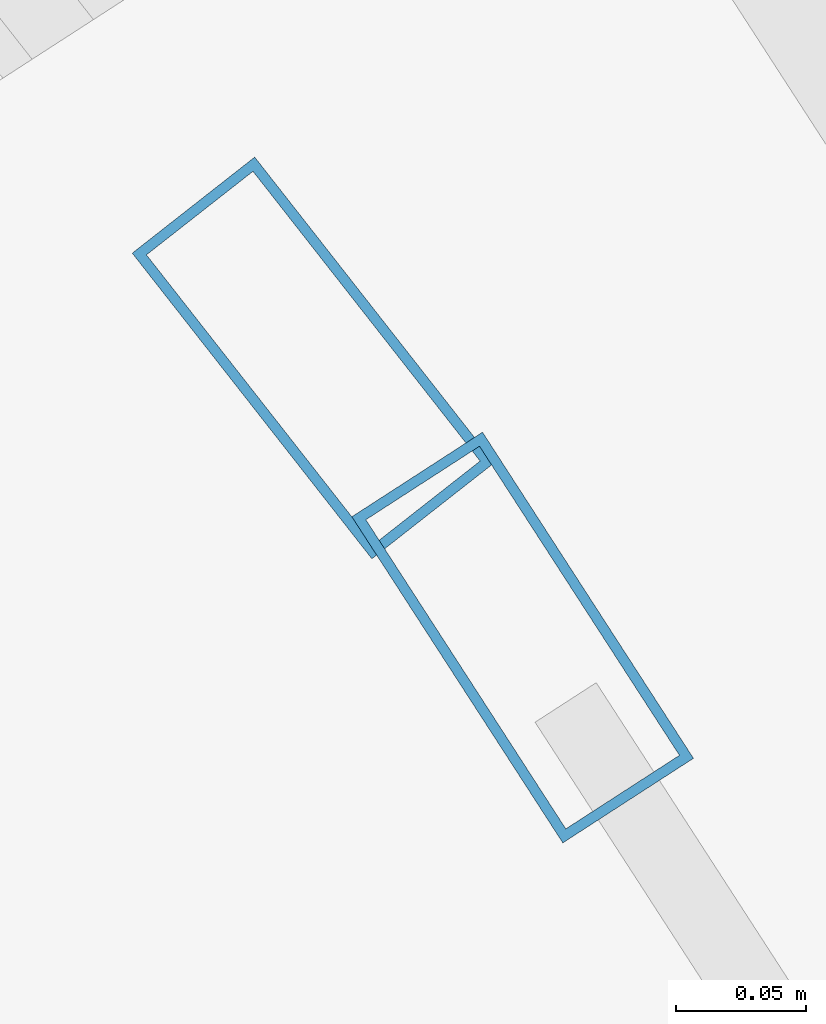
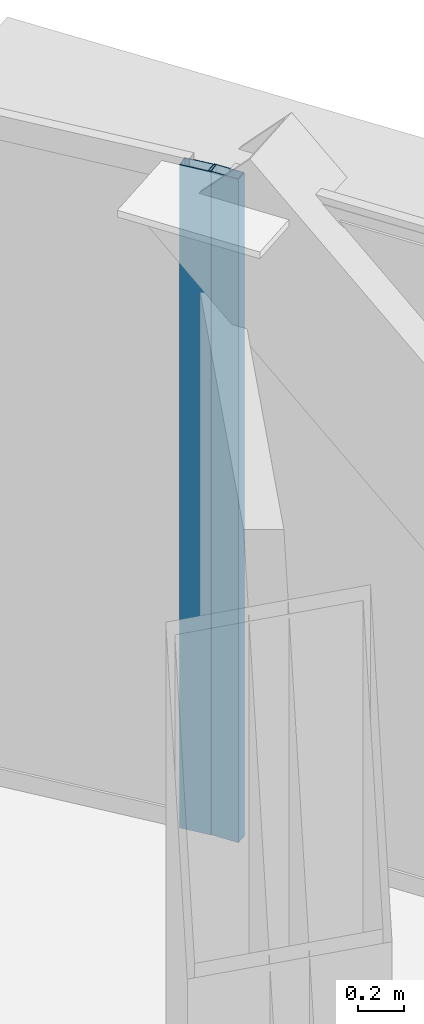
# One storey, part 22 of 40: 2 members, 2 elements without a shape of their own.
"""IFC4 building model written with IfcOpenShell, lengths in metres."""

from ifc_helpers import new_model, si_unit, direction, frame, origin, origin_2d, place, context, subcontext, project, spatial, hollow_rectangle, extrude, source, transform, mapped, material, layer, layer_set, material_profile, profile_set, type_object, element, aggregate, save


model = new_model("IFC4")

# Units and contexts
model_context = context("Model", 3, precision=1e-05, world=origin(), true_north=direction((0.0, 1.0)))
body_context = subcontext(model_context, "Body", "Model", "MODEL_VIEW")
ifc_project = project(units=[si_unit("LENGTHUNIT", "METRE"), si_unit("AREAUNIT", "SQUARE_METRE"), si_unit("VOLUMEUNIT", "CUBIC_METRE"), si_unit("PLANEANGLEUNIT", "RADIAN"), si_unit("MASSUNIT", "GRAM", prefix="KILO"), si_unit("THERMODYNAMICTEMPERATUREUNIT", "KELVIN"), si_unit("POWERUNIT", "WATT")], contexts=[model_context])

# Site, building, storey
site_placement = place(None, origin())
site = spatial("IfcSite", under=ifc_project, at=site_placement, CompositionType="ELEMENT")
building_placement = place(site_placement, origin())
building = spatial("IfcBuilding", under=site, at=building_placement, Name="Yunzhuo Pagoda Commons", CompositionType="ELEMENT")
storey_placement = place(building_placement, frame((0.0, 0.0, 188.56005859375)))
storey = spatial("IfcBuildingStorey", under=building, at=storey_placement, Name="L47", CompositionType="ELEMENT", Elevation=188.56005859375)

# Curtain wall, member
ifc_material = material(Name="Anodized aluminium 6063-T6", Category="aluminium")
ifc_layer = layer(ifc_material, 0.14990234375)
ifc_layer_set = layer_set([ifc_layer], Name="Anodized aluminium 6063-T6")
curtain_wall_type = type_object("IfcCurtainWallType", Name="CW-MID Mid-Zone Ribbon Curtain Wall", PredefinedType="NOTDEFINED", material=ifc_layer_set)
curtain_wall_1_placement = place(storey_placement, origin())
curtain_wall_1 = element("IfcCurtainWall", 1, at=curtain_wall_1_placement, inside=storey, type_object=curtain_wall_type, Name="L47 curtain wall CW-L47-F2B4", PredefinedType="NOTDEFINED")
ifc_material_profile = material_profile(ifc_material, hollow_rectangle(XDim=0.06005859375, YDim=0.14990234375, WallThickness=0.00390625, at=origin_2d()), Name="Anodized aluminium 6063-T6")
ifc_profile_set = profile_set([ifc_material_profile], Name="Anodized aluminium 6063-T6")
member_type = type_object("IfcMemberType", Name="CW-MID-M Mullion RHS 150x60x4", PredefinedType="MULLION", material=ifc_profile_set)
shared_shape = source(origin(), body_context, "Body", "SweptSolid", [
    extrude(hollow_rectangle(XDim=0.06005859375, YDim=0.14990234375, WallThickness=0.00390625, at=origin_2d()), origin(), (0.0, 0.0, 1.0), 3.5400390625),
])
member_1_placement = place(storey_placement, frame((63.715576171875, 68.93603515625, 0.0), z_axis=(0.0, 0.0, 1.0), x_axis=(-0.839626850374, -0.543163651335, 0.0)))
member_1 = element("IfcMember", 2, at=member_1_placement, type_object=member_type, Name="CW mullion 2", PredefinedType="MULLION", context=body_context, shape_type="MappedRepresentation", body=[
    mapped(shared_shape, transform((0.0, 0.0, 0.0), scale=1.0)),
])
aggregate(curtain_wall_1, [member_1])

curtain_wall_2_placement = place(storey_placement, origin())
curtain_wall_2 = element("IfcCurtainWall", 3, at=curtain_wall_2_placement, inside=storey, type_object=curtain_wall_type, Name="L47 curtain wall CW-L47-F2B5", PredefinedType="NOTDEFINED")
member_2_placement = place(storey_placement, frame((63.634765625, 69.0439453125, 0.0), z_axis=(0.0, 0.0, 1.0), x_axis=(-0.786950244655, -0.617016460427, 0.0)))
member_2 = element("IfcMember", 4, at=member_2_placement, type_object=member_type, Name="CW mullion 1", PredefinedType="MULLION", context=body_context, shape_type="MappedRepresentation", body=[
    mapped(shared_shape, transform((0.0, 0.0, 0.0), scale=1.0)),
])
aggregate(curtain_wall_2, [member_2])

save(model, "model.ifc")
